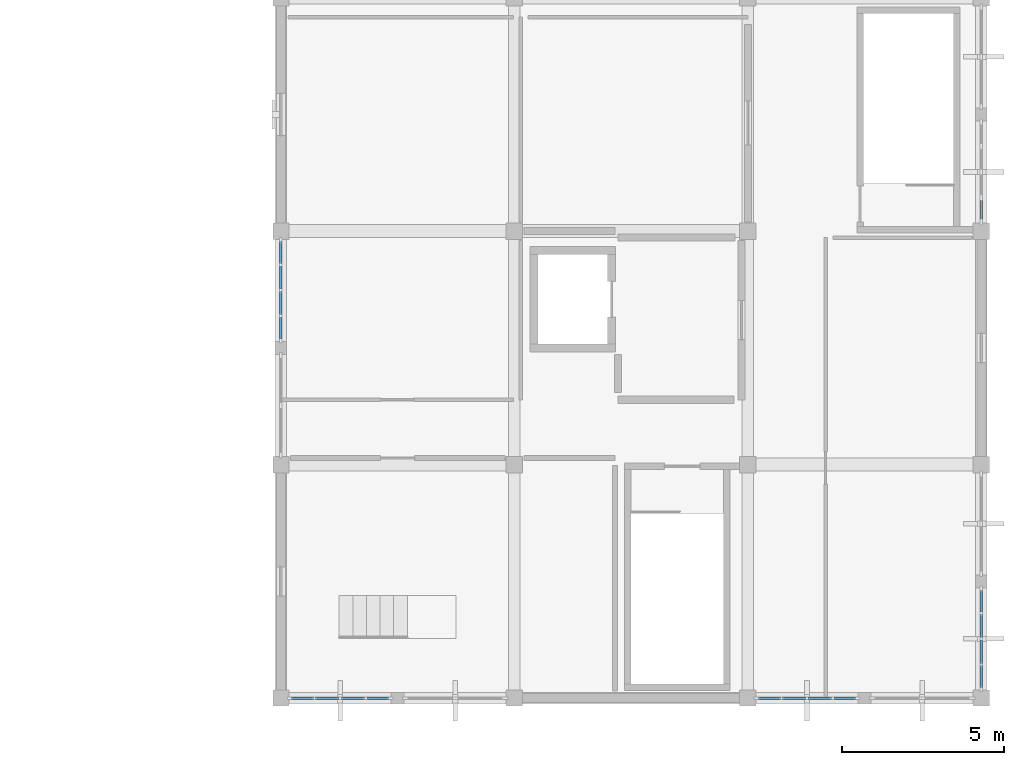
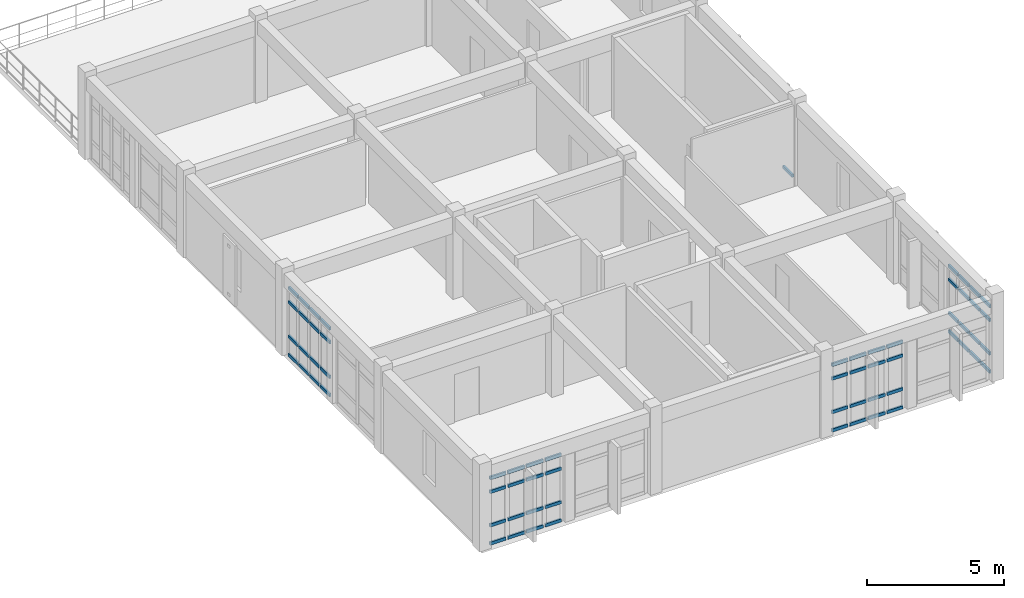
# One storey, part 6 of 14: 65 members, 5 elements without a shape of their own.
"""IFC4 building model written with IfcOpenShell, lengths in metres."""

from ifc_helpers import new_model, si_unit, direction, frame, origin, origin_2d, place, context, subcontext, project, spatial, rectangle, extrude, material, layer, layer_set, material_profile, profile_set, type_object, element, aggregate, save


model = new_model("IFC4")

# Units and contexts
model_context = context("Model", 3, precision=1e-05, world=origin(), true_north=direction((0.0, 1.0)))
body_context = subcontext(model_context, "Body", "Model", "MODEL_VIEW")
ifc_project = project(units=[si_unit("LENGTHUNIT", "METRE"), si_unit("AREAUNIT", "SQUARE_METRE"), si_unit("VOLUMEUNIT", "CUBIC_METRE"), si_unit("PLANEANGLEUNIT", "RADIAN"), si_unit("MASSUNIT", "GRAM", prefix="KILO")], contexts=[model_context])

# Site, building, storey
site_placement = place(None, origin())
site = spatial("IfcSite", under=ifc_project, at=site_placement, CompositionType="ELEMENT")
building_placement = place(site_placement, origin())
building = spatial("IfcBuilding", under=site, at=building_placement, Name="Koriwan Promenade Central Fire Station", CompositionType="ELEMENT")
storey_placement = place(building_placement, frame((0.0, 0.0, 21.300048828125)))
storey = spatial("IfcBuildingStorey", under=building, at=storey_placement, Name="L05", CompositionType="ELEMENT", Elevation=21.300048828125)

# Curtain wall, members
ifc_material_1 = material(Name="Aluminium EN AW-6063-T6 and low-E glazing", Category="aluminium")
ifc_layer_1 = layer(ifc_material_1, 0.159912109375, Name="Aluminium EN AW-6063-T6 and low-E glazing")
ifc_layer_set_1 = layer_set([ifc_layer_1], Name="Aluminium EN AW-6063-T6 and low-E glazing")
curtain_wall_type_1 = type_object("IfcCurtainWallType", Name="CurtainWall_90_315x299", PredefinedType="USERDEFINED", material=ifc_layer_set_1)
curtain_wall_1_placement = place(storey_placement, origin())
curtain_wall_1 = element("IfcCurtainWall", 1, at=curtain_wall_1_placement, inside=storey, type_object=curtain_wall_type_1, Name="V5 L05 unitised curtain wall 277", ObjectType="UNITISED CURTAIN WALL", PredefinedType="USERDEFINED")
ifc_material_2 = material(Name="Aluminium EN AW-6063-T6", Category="aluminium")
ifc_material_profile = material_profile(ifc_material_2, rectangle(XDim=0.074951171875, YDim=0.139892578125, at=origin_2d()), Name="ALU-TRN-75x140")
ifc_profile_set = profile_set([ifc_material_profile], Name="Aluminium EN AW-6063-T6")
member_type = type_object("IfcMemberType", Name="CWTransom_ALU-TRN-75x140", PredefinedType="USERDEFINED", material=ifc_profile_set)
member_1_placement = place(storey_placement, frame((172.800048828125, 0.324951171875, 0.037353515625), z_axis=(0.0, 1.0, 0.0), x_axis=(-1.0, 0.0, 0.0)))
member_1 = element("IfcMember", 2, at=member_1_placement, type_object=member_type, Name="CW-90 transom 1.1", ObjectType="TRANSOM", PredefinedType="USERDEFINED", context=body_context, shape_type="SweptSolid", body=[
    extrude(rectangle(XDim=0.074951171875, YDim=0.139892578125, at=origin_2d()), origin(), (0.0, 0.0, 1.0), 0.675048828125),
])
member_2_placement = place(storey_placement, frame((172.800048828125, 0.324951171875, 0.849853515625), z_axis=(0.0, 1.0, 0.0), x_axis=(-1.0, 0.0, 0.0)))
member_2 = element("IfcMember", 3, at=member_2_placement, type_object=member_type, Name="CW-90 transom 1.2", ObjectType="TRANSOM", PredefinedType="USERDEFINED", context=body_context, shape_type="SweptSolid", body=[
    extrude(rectangle(XDim=0.074951171875, YDim=0.139892578125, at=origin_2d()), origin(), (0.0, 0.0, 1.0), 0.675048828125),
])
member_3_placement = place(storey_placement, frame((172.800048828125, 0.324951171875, 2.33984375), z_axis=(0.0, 1.0, 0.0), x_axis=(-1.0, 0.0, 0.0)))
member_3 = element("IfcMember", 4, at=member_3_placement, type_object=member_type, Name="CW-90 transom 1.3", ObjectType="TRANSOM", PredefinedType="USERDEFINED", context=body_context, shape_type="SweptSolid", body=[
    extrude(rectangle(XDim=0.074951171875, YDim=0.139892578125, at=origin_2d()), origin(), (0.0, 0.0, 1.0), 0.675048828125),
])
member_4_placement = place(storey_placement, frame((172.800048828125, 0.324951171875, 2.952392578125), z_axis=(0.0, 1.0, 0.0), x_axis=(-1.0, 0.0, 0.0)))
member_4 = element("IfcMember", 5, at=member_4_placement, type_object=member_type, Name="CW-90 transom 1.4", ObjectType="TRANSOM", PredefinedType="USERDEFINED", context=body_context, shape_type="SweptSolid", body=[
    extrude(rectangle(XDim=0.074951171875, YDim=0.139892578125, at=origin_2d()), origin(), (0.0, 0.0, 1.0), 0.675048828125),
])
member_5_placement = place(storey_placement, frame((172.800048828125, 1.074951171875, 0.037353515625), z_axis=(0.0, 1.0, 0.0), x_axis=(-1.0, 0.0, 0.0)))
member_5 = element("IfcMember", 6, at=member_5_placement, type_object=member_type, Name="CW-90 transom 2.1", ObjectType="TRANSOM", PredefinedType="USERDEFINED", context=body_context, shape_type="SweptSolid", body=[
    extrude(rectangle(XDim=0.074951171875, YDim=0.139892578125, at=origin_2d()), origin(), (0.0, 0.0, 1.0), 0.712646484375),
])
member_6_placement = place(storey_placement, frame((172.800048828125, 1.074951171875, 0.849853515625), z_axis=(0.0, 1.0, 0.0), x_axis=(-1.0, 0.0, 0.0)))
member_6 = element("IfcMember", 7, at=member_6_placement, type_object=member_type, Name="CW-90 transom 2.2", ObjectType="TRANSOM", PredefinedType="USERDEFINED", context=body_context, shape_type="SweptSolid", body=[
    extrude(rectangle(XDim=0.074951171875, YDim=0.139892578125, at=origin_2d()), origin(), (0.0, 0.0, 1.0), 0.712646484375),
])
member_7_placement = place(storey_placement, frame((172.800048828125, 1.074951171875, 2.33984375), z_axis=(0.0, 1.0, 0.0), x_axis=(-1.0, 0.0, 0.0)))
member_7 = element("IfcMember", 8, at=member_7_placement, type_object=member_type, Name="CW-90 transom 2.3", ObjectType="TRANSOM", PredefinedType="USERDEFINED", context=body_context, shape_type="SweptSolid", body=[
    extrude(rectangle(XDim=0.074951171875, YDim=0.139892578125, at=origin_2d()), origin(), (0.0, 0.0, 1.0), 0.712646484375),
])
member_8_placement = place(storey_placement, frame((172.800048828125, 1.074951171875, 2.952392578125), z_axis=(0.0, 1.0, 0.0), x_axis=(-1.0, 0.0, 0.0)))
member_8 = element("IfcMember", 9, at=member_8_placement, type_object=member_type, Name="CW-90 transom 2.4", ObjectType="TRANSOM", PredefinedType="USERDEFINED", context=body_context, shape_type="SweptSolid", body=[
    extrude(rectangle(XDim=0.074951171875, YDim=0.139892578125, at=origin_2d()), origin(), (0.0, 0.0, 1.0), 0.712646484375),
])
member_9_placement = place(storey_placement, frame((172.800048828125, 1.862548828125, 0.037353515625), z_axis=(0.0, 1.0, 0.0), x_axis=(-1.0, 0.0, 0.0)))
member_9 = element("IfcMember", 10, at=member_9_placement, type_object=member_type, Name="CW-90 transom 3.1", ObjectType="TRANSOM", PredefinedType="USERDEFINED", context=body_context, shape_type="SweptSolid", body=[
    extrude(rectangle(XDim=0.074951171875, YDim=0.139892578125, at=origin_2d()), origin(), (0.0, 0.0, 1.0), 0.71240234375),
])
member_10_placement = place(storey_placement, frame((172.800048828125, 1.862548828125, 0.849853515625), z_axis=(0.0, 1.0, 0.0), x_axis=(-1.0, 0.0, 0.0)))
member_10 = element("IfcMember", 11, at=member_10_placement, type_object=member_type, Name="CW-90 transom 3.2", ObjectType="TRANSOM", PredefinedType="USERDEFINED", context=body_context, shape_type="SweptSolid", body=[
    extrude(rectangle(XDim=0.074951171875, YDim=0.139892578125, at=origin_2d()), origin(), (0.0, 0.0, 1.0), 0.71240234375),
])
member_11_placement = place(storey_placement, frame((172.800048828125, 1.862548828125, 2.33984375), z_axis=(0.0, 1.0, 0.0), x_axis=(-1.0, 0.0, 0.0)))
member_11 = element("IfcMember", 12, at=member_11_placement, type_object=member_type, Name="CW-90 transom 3.3", ObjectType="TRANSOM", PredefinedType="USERDEFINED", context=body_context, shape_type="SweptSolid", body=[
    extrude(rectangle(XDim=0.074951171875, YDim=0.139892578125, at=origin_2d()), origin(), (0.0, 0.0, 1.0), 0.71240234375),
])
member_12_placement = place(storey_placement, frame((172.800048828125, 1.862548828125, 2.952392578125), z_axis=(0.0, 1.0, 0.0), x_axis=(-1.0, 0.0, 0.0)))
member_12 = element("IfcMember", 13, at=member_12_placement, type_object=member_type, Name="CW-90 transom 3.4", ObjectType="TRANSOM", PredefinedType="USERDEFINED", context=body_context, shape_type="SweptSolid", body=[
    extrude(rectangle(XDim=0.074951171875, YDim=0.139892578125, at=origin_2d()), origin(), (0.0, 0.0, 1.0), 0.71240234375),
])
member_13_placement = place(storey_placement, frame((172.800048828125, 2.64990234375, 0.037353515625), z_axis=(0.0, 1.0, 0.0), x_axis=(-1.0, 0.0, 0.0)))
member_13 = element("IfcMember", 14, at=member_13_placement, type_object=member_type, Name="CW-90 transom 4.1", ObjectType="TRANSOM", PredefinedType="USERDEFINED", context=body_context, shape_type="SweptSolid", body=[
    extrude(rectangle(XDim=0.074951171875, YDim=0.139892578125, at=origin_2d()), origin(), (0.0, 0.0, 1.0), 0.675048828125),
])
member_14_placement = place(storey_placement, frame((172.800048828125, 2.64990234375, 0.849853515625), z_axis=(0.0, 1.0, 0.0), x_axis=(-1.0, 0.0, 0.0)))
member_14 = element("IfcMember", 15, at=member_14_placement, type_object=member_type, Name="CW-90 transom 4.2", ObjectType="TRANSOM", PredefinedType="USERDEFINED", context=body_context, shape_type="SweptSolid", body=[
    extrude(rectangle(XDim=0.074951171875, YDim=0.139892578125, at=origin_2d()), origin(), (0.0, 0.0, 1.0), 0.675048828125),
])
member_15_placement = place(storey_placement, frame((172.800048828125, 2.64990234375, 2.33984375), z_axis=(0.0, 1.0, 0.0), x_axis=(-1.0, 0.0, 0.0)))
member_15 = element("IfcMember", 16, at=member_15_placement, type_object=member_type, Name="CW-90 transom 4.3", ObjectType="TRANSOM", PredefinedType="USERDEFINED", context=body_context, shape_type="SweptSolid", body=[
    extrude(rectangle(XDim=0.074951171875, YDim=0.139892578125, at=origin_2d()), origin(), (0.0, 0.0, 1.0), 0.675048828125),
])
member_16_placement = place(storey_placement, frame((172.800048828125, 2.64990234375, 2.952392578125), z_axis=(0.0, 1.0, 0.0), x_axis=(-1.0, 0.0, 0.0)))
member_16 = element("IfcMember", 17, at=member_16_placement, type_object=member_type, Name="CW-90 transom 4.4", ObjectType="TRANSOM", PredefinedType="USERDEFINED", context=body_context, shape_type="SweptSolid", body=[
    extrude(rectangle(XDim=0.074951171875, YDim=0.139892578125, at=origin_2d()), origin(), (0.0, 0.0, 1.0), 0.675048828125),
])
aggregate(curtain_wall_1, [member_1, member_2, member_3, member_4, member_5, member_6, member_7, member_8, member_9, member_10, member_11, member_12, member_13, member_14, member_15, member_16])

# Curtain wall, member
curtain_wall_2_placement = place(storey_placement, origin())
curtain_wall_2 = element("IfcCurtainWall", 18, at=curtain_wall_2_placement, inside=storey, type_object=curtain_wall_type_1, Name="V5 L05 unitised curtain wall 279", ObjectType="UNITISED CURTAIN WALL", PredefinedType="USERDEFINED")
member_17_placement = place(storey_placement, frame((172.800048828125, 14.72509765625, 0.037353515625), z_axis=(0.0, 1.0, 0.0), x_axis=(-1.0, 0.0, 0.0)))
member_17 = element("IfcMember", 19, at=member_17_placement, type_object=member_type, Name="CW-90 transom 1.1", ObjectType="TRANSOM", PredefinedType="USERDEFINED", context=body_context, shape_type="SweptSolid", body=[
    extrude(rectangle(XDim=0.074951171875, YDim=0.139892578125, at=origin_2d()), origin(), (0.0, 0.0, 1.0), 0.6748046875),
])
aggregate(curtain_wall_2, [member_17])

# Curtain wall, members
ifc_layer_2 = layer(ifc_material_1, 0.159912109375, Name="Aluminium EN AW-6063-T6 and low-E glazing")
ifc_layer_set_2 = layer_set([ifc_layer_2], Name="Aluminium EN AW-6063-T6 and low-E glazing")
curtain_wall_type_2 = type_object("IfcCurtainWallType", Name="CurtainWall_91_315x304", PredefinedType="USERDEFINED", material=ifc_layer_set_2)
curtain_wall_3_placement = place(storey_placement, origin())
curtain_wall_3 = element("IfcCurtainWall", 20, at=curtain_wall_3_placement, inside=storey, type_object=curtain_wall_type_2, Name="V5 L05 unitised curtain wall 283", ObjectType="UNITISED CURTAIN WALL", PredefinedType="USERDEFINED")
member_18_placement = place(storey_placement, frame((151.199951171875, 14.074951171875, 0.037353515625), z_axis=(0.0, -1.0, 0.0), x_axis=(1.0, 0.0, 0.0)))
member_18 = element("IfcMember", 21, at=member_18_placement, type_object=member_type, Name="CW-91 transom 1.1", ObjectType="TRANSOM", PredefinedType="USERDEFINED", context=body_context, shape_type="SweptSolid", body=[
    extrude(rectangle(XDim=0.074951171875, YDim=0.139892578125, at=origin_2d()), origin(), (0.0, 0.0, 1.0), 0.675048828125),
])
member_19_placement = place(storey_placement, frame((151.199951171875, 14.074951171875, 0.849853515625), z_axis=(0.0, -1.0, 0.0), x_axis=(1.0, 0.0, 0.0)))
member_19 = element("IfcMember", 22, at=member_19_placement, type_object=member_type, Name="CW-91 transom 1.2", ObjectType="TRANSOM", PredefinedType="USERDEFINED", context=body_context, shape_type="SweptSolid", body=[
    extrude(rectangle(XDim=0.074951171875, YDim=0.139892578125, at=origin_2d()), origin(), (0.0, 0.0, 1.0), 0.675048828125),
])
member_20_placement = place(storey_placement, frame((151.199951171875, 14.074951171875, 2.389892578125), z_axis=(0.0, -1.0, 0.0), x_axis=(1.0, 0.0, 0.0)))
member_20 = element("IfcMember", 23, at=member_20_placement, type_object=member_type, Name="CW-91 transom 1.3", ObjectType="TRANSOM", PredefinedType="USERDEFINED", context=body_context, shape_type="SweptSolid", body=[
    extrude(rectangle(XDim=0.074951171875, YDim=0.139892578125, at=origin_2d()), origin(), (0.0, 0.0, 1.0), 0.675048828125),
])
member_21_placement = place(storey_placement, frame((151.199951171875, 14.074951171875, 3.00244140625), z_axis=(0.0, -1.0, 0.0), x_axis=(1.0, 0.0, 0.0)))
member_21 = element("IfcMember", 24, at=member_21_placement, type_object=member_type, Name="CW-91 transom 1.4", ObjectType="TRANSOM", PredefinedType="USERDEFINED", context=body_context, shape_type="SweptSolid", body=[
    extrude(rectangle(XDim=0.074951171875, YDim=0.139892578125, at=origin_2d()), origin(), (0.0, 0.0, 1.0), 0.675048828125),
])
member_22_placement = place(storey_placement, frame((151.199951171875, 13.324951171875, 0.037353515625), z_axis=(0.0, -1.0, 0.0), x_axis=(1.0, 0.0, 0.0)))
member_22 = element("IfcMember", 25, at=member_22_placement, type_object=member_type, Name="CW-91 transom 2.1", ObjectType="TRANSOM", PredefinedType="USERDEFINED", context=body_context, shape_type="SweptSolid", body=[
    extrude(rectangle(XDim=0.074951171875, YDim=0.139892578125, at=origin_2d()), origin(), (0.0, 0.0, 1.0), 0.71240234375),
])
member_23_placement = place(storey_placement, frame((151.199951171875, 13.324951171875, 0.849853515625), z_axis=(0.0, -1.0, 0.0), x_axis=(1.0, 0.0, 0.0)))
member_23 = element("IfcMember", 26, at=member_23_placement, type_object=member_type, Name="CW-91 transom 2.2", ObjectType="TRANSOM", PredefinedType="USERDEFINED", context=body_context, shape_type="SweptSolid", body=[
    extrude(rectangle(XDim=0.074951171875, YDim=0.139892578125, at=origin_2d()), origin(), (0.0, 0.0, 1.0), 0.71240234375),
])
member_24_placement = place(storey_placement, frame((151.199951171875, 13.324951171875, 2.389892578125), z_axis=(0.0, -1.0, 0.0), x_axis=(1.0, 0.0, 0.0)))
member_24 = element("IfcMember", 27, at=member_24_placement, type_object=member_type, Name="CW-91 transom 2.3", ObjectType="TRANSOM", PredefinedType="USERDEFINED", context=body_context, shape_type="SweptSolid", body=[
    extrude(rectangle(XDim=0.074951171875, YDim=0.139892578125, at=origin_2d()), origin(), (0.0, 0.0, 1.0), 0.71240234375),
])
member_25_placement = place(storey_placement, frame((151.199951171875, 13.324951171875, 3.00244140625), z_axis=(0.0, -1.0, 0.0), x_axis=(1.0, 0.0, 0.0)))
member_25 = element("IfcMember", 28, at=member_25_placement, type_object=member_type, Name="CW-91 transom 2.4", ObjectType="TRANSOM", PredefinedType="USERDEFINED", context=body_context, shape_type="SweptSolid", body=[
    extrude(rectangle(XDim=0.074951171875, YDim=0.139892578125, at=origin_2d()), origin(), (0.0, 0.0, 1.0), 0.71240234375),
])
member_26_placement = place(storey_placement, frame((151.199951171875, 12.53759765625, 0.037353515625), z_axis=(0.0, -1.0, 0.0), x_axis=(1.0, 0.0, 0.0)))
member_26 = element("IfcMember", 29, at=member_26_placement, type_object=member_type, Name="CW-91 transom 3.1", ObjectType="TRANSOM", PredefinedType="USERDEFINED", context=body_context, shape_type="SweptSolid", body=[
    extrude(rectangle(XDim=0.074951171875, YDim=0.139892578125, at=origin_2d()), origin(), (0.0, 0.0, 1.0), 0.712646484375),
])
member_27_placement = place(storey_placement, frame((151.199951171875, 12.53759765625, 0.849853515625), z_axis=(0.0, -1.0, 0.0), x_axis=(1.0, 0.0, 0.0)))
member_27 = element("IfcMember", 30, at=member_27_placement, type_object=member_type, Name="CW-91 transom 3.2", ObjectType="TRANSOM", PredefinedType="USERDEFINED", context=body_context, shape_type="SweptSolid", body=[
    extrude(rectangle(XDim=0.074951171875, YDim=0.139892578125, at=origin_2d()), origin(), (0.0, 0.0, 1.0), 0.712646484375),
])
member_28_placement = place(storey_placement, frame((151.199951171875, 12.53759765625, 2.389892578125), z_axis=(0.0, -1.0, 0.0), x_axis=(1.0, 0.0, 0.0)))
member_28 = element("IfcMember", 31, at=member_28_placement, type_object=member_type, Name="CW-91 transom 3.3", ObjectType="TRANSOM", PredefinedType="USERDEFINED", context=body_context, shape_type="SweptSolid", body=[
    extrude(rectangle(XDim=0.074951171875, YDim=0.139892578125, at=origin_2d()), origin(), (0.0, 0.0, 1.0), 0.712646484375),
])
member_29_placement = place(storey_placement, frame((151.199951171875, 12.53759765625, 3.00244140625), z_axis=(0.0, -1.0, 0.0), x_axis=(1.0, 0.0, 0.0)))
member_29 = element("IfcMember", 32, at=member_29_placement, type_object=member_type, Name="CW-91 transom 3.4", ObjectType="TRANSOM", PredefinedType="USERDEFINED", context=body_context, shape_type="SweptSolid", body=[
    extrude(rectangle(XDim=0.074951171875, YDim=0.139892578125, at=origin_2d()), origin(), (0.0, 0.0, 1.0), 0.712646484375),
])
member_30_placement = place(storey_placement, frame((151.199951171875, 11.75, 0.037353515625), z_axis=(0.0, -1.0, 0.0), x_axis=(1.0, 0.0, 0.0)))
member_30 = element("IfcMember", 33, at=member_30_placement, type_object=member_type, Name="CW-91 transom 4.1", ObjectType="TRANSOM", PredefinedType="USERDEFINED", context=body_context, shape_type="SweptSolid", body=[
    extrude(rectangle(XDim=0.074951171875, YDim=0.139892578125, at=origin_2d()), origin(), (0.0, 0.0, 1.0), 0.675048828125),
])
member_31_placement = place(storey_placement, frame((151.199951171875, 11.75, 0.849853515625), z_axis=(0.0, -1.0, 0.0), x_axis=(1.0, 0.0, 0.0)))
member_31 = element("IfcMember", 34, at=member_31_placement, type_object=member_type, Name="CW-91 transom 4.2", ObjectType="TRANSOM", PredefinedType="USERDEFINED", context=body_context, shape_type="SweptSolid", body=[
    extrude(rectangle(XDim=0.074951171875, YDim=0.139892578125, at=origin_2d()), origin(), (0.0, 0.0, 1.0), 0.675048828125),
])
member_32_placement = place(storey_placement, frame((151.199951171875, 11.75, 2.389892578125), z_axis=(0.0, -1.0, 0.0), x_axis=(1.0, 0.0, 0.0)))
member_32 = element("IfcMember", 35, at=member_32_placement, type_object=member_type, Name="CW-91 transom 4.3", ObjectType="TRANSOM", PredefinedType="USERDEFINED", context=body_context, shape_type="SweptSolid", body=[
    extrude(rectangle(XDim=0.074951171875, YDim=0.139892578125, at=origin_2d()), origin(), (0.0, 0.0, 1.0), 0.675048828125),
])
member_33_placement = place(storey_placement, frame((151.199951171875, 11.75, 3.00244140625), z_axis=(0.0, -1.0, 0.0), x_axis=(1.0, 0.0, 0.0)))
member_33 = element("IfcMember", 36, at=member_33_placement, type_object=member_type, Name="CW-91 transom 4.4", ObjectType="TRANSOM", PredefinedType="USERDEFINED", context=body_context, shape_type="SweptSolid", body=[
    extrude(rectangle(XDim=0.074951171875, YDim=0.139892578125, at=origin_2d()), origin(), (0.0, 0.0, 1.0), 0.675048828125),
])
aggregate(curtain_wall_3, [member_18, member_19, member_20, member_21, member_22, member_23, member_24, member_25, member_26, member_27, member_28, member_29, member_30, member_31, member_32, member_33])

curtain_wall_4_placement = place(storey_placement, origin())
curtain_wall_4 = element("IfcCurtainWall", 37, at=curtain_wall_4_placement, inside=storey, type_object=curtain_wall_type_1, Name="V5 L05 unitised curtain wall 285", ObjectType="UNITISED CURTAIN WALL", PredefinedType="USERDEFINED")
member_34_placement = place(storey_placement, frame((151.52490234375, 0.0, 0.037353515625), z_axis=(1.0, 0.0, 0.0), x_axis=(0.0, 1.0, 0.0)))
member_34 = element("IfcMember", 38, at=member_34_placement, type_object=member_type, Name="CW-90 transom 1.1", ObjectType="TRANSOM", PredefinedType="USERDEFINED", context=body_context, shape_type="SweptSolid", body=[
    extrude(rectangle(XDim=0.074951171875, YDim=0.139892578125, at=origin_2d()), origin(), (0.0, 0.0, 1.0), 0.675048828125),
])
member_35_placement = place(storey_placement, frame((151.52490234375, 0.0, 0.849853515625), z_axis=(1.0, 0.0, 0.0), x_axis=(0.0, 1.0, 0.0)))
member_35 = element("IfcMember", 39, at=member_35_placement, type_object=member_type, Name="CW-90 transom 1.2", ObjectType="TRANSOM", PredefinedType="USERDEFINED", context=body_context, shape_type="SweptSolid", body=[
    extrude(rectangle(XDim=0.074951171875, YDim=0.139892578125, at=origin_2d()), origin(), (0.0, 0.0, 1.0), 0.675048828125),
])
member_36_placement = place(storey_placement, frame((151.52490234375, 0.0, 2.33984375), z_axis=(1.0, 0.0, 0.0), x_axis=(0.0, 1.0, 0.0)))
member_36 = element("IfcMember", 40, at=member_36_placement, type_object=member_type, Name="CW-90 transom 1.3", ObjectType="TRANSOM", PredefinedType="USERDEFINED", context=body_context, shape_type="SweptSolid", body=[
    extrude(rectangle(XDim=0.074951171875, YDim=0.139892578125, at=origin_2d()), origin(), (0.0, 0.0, 1.0), 0.675048828125),
])
member_37_placement = place(storey_placement, frame((151.52490234375, 0.0, 2.952392578125), z_axis=(1.0, 0.0, 0.0), x_axis=(0.0, 1.0, 0.0)))
member_37 = element("IfcMember", 41, at=member_37_placement, type_object=member_type, Name="CW-90 transom 1.4", ObjectType="TRANSOM", PredefinedType="USERDEFINED", context=body_context, shape_type="SweptSolid", body=[
    extrude(rectangle(XDim=0.074951171875, YDim=0.139892578125, at=origin_2d()), origin(), (0.0, 0.0, 1.0), 0.675048828125),
])
member_38_placement = place(storey_placement, frame((152.27490234375, 0.0, 0.037353515625), z_axis=(1.0, 0.0, 0.0), x_axis=(0.0, 1.0, 0.0)))
member_38 = element("IfcMember", 42, at=member_38_placement, type_object=member_type, Name="CW-90 transom 2.1", ObjectType="TRANSOM", PredefinedType="USERDEFINED", context=body_context, shape_type="SweptSolid", body=[
    extrude(rectangle(XDim=0.074951171875, YDim=0.139892578125, at=origin_2d()), origin(), (0.0, 0.0, 1.0), 0.712646484375),
])
member_39_placement = place(storey_placement, frame((152.27490234375, 0.0, 0.849853515625), z_axis=(1.0, 0.0, 0.0), x_axis=(0.0, 1.0, 0.0)))
member_39 = element("IfcMember", 43, at=member_39_placement, type_object=member_type, Name="CW-90 transom 2.2", ObjectType="TRANSOM", PredefinedType="USERDEFINED", context=body_context, shape_type="SweptSolid", body=[
    extrude(rectangle(XDim=0.074951171875, YDim=0.139892578125, at=origin_2d()), origin(), (0.0, 0.0, 1.0), 0.712646484375),
])
member_40_placement = place(storey_placement, frame((152.27490234375, 0.0, 2.33984375), z_axis=(1.0, 0.0, 0.0), x_axis=(0.0, 1.0, 0.0)))
member_40 = element("IfcMember", 44, at=member_40_placement, type_object=member_type, Name="CW-90 transom 2.3", ObjectType="TRANSOM", PredefinedType="USERDEFINED", context=body_context, shape_type="SweptSolid", body=[
    extrude(rectangle(XDim=0.074951171875, YDim=0.139892578125, at=origin_2d()), origin(), (0.0, 0.0, 1.0), 0.712646484375),
])
member_41_placement = place(storey_placement, frame((152.27490234375, 0.0, 2.952392578125), z_axis=(1.0, 0.0, 0.0), x_axis=(0.0, 1.0, 0.0)))
member_41 = element("IfcMember", 45, at=member_41_placement, type_object=member_type, Name="CW-90 transom 2.4", ObjectType="TRANSOM", PredefinedType="USERDEFINED", context=body_context, shape_type="SweptSolid", body=[
    extrude(rectangle(XDim=0.074951171875, YDim=0.139892578125, at=origin_2d()), origin(), (0.0, 0.0, 1.0), 0.712646484375),
])
member_42_placement = place(storey_placement, frame((153.0625, 0.0, 0.037353515625), z_axis=(1.0, 0.0, 0.0), x_axis=(0.0, 1.0, 0.0)))
member_42 = element("IfcMember", 46, at=member_42_placement, type_object=member_type, Name="CW-90 transom 3.1", ObjectType="TRANSOM", PredefinedType="USERDEFINED", context=body_context, shape_type="SweptSolid", body=[
    extrude(rectangle(XDim=0.074951171875, YDim=0.139892578125, at=origin_2d()), origin(), (0.0, 0.0, 1.0), 0.71240234375),
])
member_43_placement = place(storey_placement, frame((153.0625, 0.0, 0.849853515625), z_axis=(1.0, 0.0, 0.0), x_axis=(0.0, 1.0, 0.0)))
member_43 = element("IfcMember", 47, at=member_43_placement, type_object=member_type, Name="CW-90 transom 3.2", ObjectType="TRANSOM", PredefinedType="USERDEFINED", context=body_context, shape_type="SweptSolid", body=[
    extrude(rectangle(XDim=0.074951171875, YDim=0.139892578125, at=origin_2d()), origin(), (0.0, 0.0, 1.0), 0.71240234375),
])
member_44_placement = place(storey_placement, frame((153.0625, 0.0, 2.33984375), z_axis=(1.0, 0.0, 0.0), x_axis=(0.0, 1.0, 0.0)))
member_44 = element("IfcMember", 48, at=member_44_placement, type_object=member_type, Name="CW-90 transom 3.3", ObjectType="TRANSOM", PredefinedType="USERDEFINED", context=body_context, shape_type="SweptSolid", body=[
    extrude(rectangle(XDim=0.074951171875, YDim=0.139892578125, at=origin_2d()), origin(), (0.0, 0.0, 1.0), 0.71240234375),
])
member_45_placement = place(storey_placement, frame((153.0625, 0.0, 2.952392578125), z_axis=(1.0, 0.0, 0.0), x_axis=(0.0, 1.0, 0.0)))
member_45 = element("IfcMember", 49, at=member_45_placement, type_object=member_type, Name="CW-90 transom 3.4", ObjectType="TRANSOM", PredefinedType="USERDEFINED", context=body_context, shape_type="SweptSolid", body=[
    extrude(rectangle(XDim=0.074951171875, YDim=0.139892578125, at=origin_2d()), origin(), (0.0, 0.0, 1.0), 0.71240234375),
])
member_46_placement = place(storey_placement, frame((153.85009765625, 0.0, 0.037353515625), z_axis=(1.0, 0.0, 0.0), x_axis=(0.0, 1.0, 0.0)))
member_46 = element("IfcMember", 50, at=member_46_placement, type_object=member_type, Name="CW-90 transom 4.1", ObjectType="TRANSOM", PredefinedType="USERDEFINED", context=body_context, shape_type="SweptSolid", body=[
    extrude(rectangle(XDim=0.074951171875, YDim=0.139892578125, at=origin_2d()), origin(), (0.0, 0.0, 1.0), 0.6748046875),
])
member_47_placement = place(storey_placement, frame((153.85009765625, 0.0, 0.849853515625), z_axis=(1.0, 0.0, 0.0), x_axis=(0.0, 1.0, 0.0)))
member_47 = element("IfcMember", 51, at=member_47_placement, type_object=member_type, Name="CW-90 transom 4.2", ObjectType="TRANSOM", PredefinedType="USERDEFINED", context=body_context, shape_type="SweptSolid", body=[
    extrude(rectangle(XDim=0.074951171875, YDim=0.139892578125, at=origin_2d()), origin(), (0.0, 0.0, 1.0), 0.6748046875),
])
member_48_placement = place(storey_placement, frame((153.85009765625, 0.0, 2.33984375), z_axis=(1.0, 0.0, 0.0), x_axis=(0.0, 1.0, 0.0)))
member_48 = element("IfcMember", 52, at=member_48_placement, type_object=member_type, Name="CW-90 transom 4.3", ObjectType="TRANSOM", PredefinedType="USERDEFINED", context=body_context, shape_type="SweptSolid", body=[
    extrude(rectangle(XDim=0.074951171875, YDim=0.139892578125, at=origin_2d()), origin(), (0.0, 0.0, 1.0), 0.6748046875),
])
member_49_placement = place(storey_placement, frame((153.85009765625, 0.0, 2.952392578125), z_axis=(1.0, 0.0, 0.0), x_axis=(0.0, 1.0, 0.0)))
member_49 = element("IfcMember", 53, at=member_49_placement, type_object=member_type, Name="CW-90 transom 4.4", ObjectType="TRANSOM", PredefinedType="USERDEFINED", context=body_context, shape_type="SweptSolid", body=[
    extrude(rectangle(XDim=0.074951171875, YDim=0.139892578125, at=origin_2d()), origin(), (0.0, 0.0, 1.0), 0.6748046875),
])
aggregate(curtain_wall_4, [member_34, member_35, member_36, member_37, member_38, member_39, member_40, member_41, member_42, member_43, member_44, member_45, member_46, member_47, member_48, member_49])

curtain_wall_5_placement = place(storey_placement, origin())
curtain_wall_5 = element("IfcCurtainWall", 54, at=curtain_wall_5_placement, inside=storey, type_object=curtain_wall_type_1, Name="V5 L05 unitised curtain wall 287", ObjectType="UNITISED CURTAIN WALL", PredefinedType="USERDEFINED")
member_50_placement = place(storey_placement, frame((165.925048828125, 0.0, 0.037353515625), z_axis=(1.0, 0.0, 0.0), x_axis=(0.0, 1.0, 0.0)))
member_50 = element("IfcMember", 55, at=member_50_placement, type_object=member_type, Name="CW-90 transom 1.1", ObjectType="TRANSOM", PredefinedType="USERDEFINED", context=body_context, shape_type="SweptSolid", body=[
    extrude(rectangle(XDim=0.074951171875, YDim=0.139892578125, at=origin_2d()), origin(), (0.0, 0.0, 1.0), 0.675048828125),
])
member_51_placement = place(storey_placement, frame((165.925048828125, 0.0, 0.849853515625), z_axis=(1.0, 0.0, 0.0), x_axis=(0.0, 1.0, 0.0)))
member_51 = element("IfcMember", 56, at=member_51_placement, type_object=member_type, Name="CW-90 transom 1.2", ObjectType="TRANSOM", PredefinedType="USERDEFINED", context=body_context, shape_type="SweptSolid", body=[
    extrude(rectangle(XDim=0.074951171875, YDim=0.139892578125, at=origin_2d()), origin(), (0.0, 0.0, 1.0), 0.675048828125),
])
member_52_placement = place(storey_placement, frame((165.925048828125, 0.0, 2.33984375), z_axis=(1.0, 0.0, 0.0), x_axis=(0.0, 1.0, 0.0)))
member_52 = element("IfcMember", 57, at=member_52_placement, type_object=member_type, Name="CW-90 transom 1.3", ObjectType="TRANSOM", PredefinedType="USERDEFINED", context=body_context, shape_type="SweptSolid", body=[
    extrude(rectangle(XDim=0.074951171875, YDim=0.139892578125, at=origin_2d()), origin(), (0.0, 0.0, 1.0), 0.675048828125),
])
member_53_placement = place(storey_placement, frame((165.925048828125, 0.0, 2.952392578125), z_axis=(1.0, 0.0, 0.0), x_axis=(0.0, 1.0, 0.0)))
member_53 = element("IfcMember", 58, at=member_53_placement, type_object=member_type, Name="CW-90 transom 1.4", ObjectType="TRANSOM", PredefinedType="USERDEFINED", context=body_context, shape_type="SweptSolid", body=[
    extrude(rectangle(XDim=0.074951171875, YDim=0.139892578125, at=origin_2d()), origin(), (0.0, 0.0, 1.0), 0.675048828125),
])
member_54_placement = place(storey_placement, frame((166.675048828125, 0.0, 0.037353515625), z_axis=(1.0, 0.0, 0.0), x_axis=(0.0, 1.0, 0.0)))
member_54 = element("IfcMember", 59, at=member_54_placement, type_object=member_type, Name="CW-90 transom 2.1", ObjectType="TRANSOM", PredefinedType="USERDEFINED", context=body_context, shape_type="SweptSolid", body=[
    extrude(rectangle(XDim=0.074951171875, YDim=0.139892578125, at=origin_2d()), origin(), (0.0, 0.0, 1.0), 0.71240234375),
])
member_55_placement = place(storey_placement, frame((166.675048828125, 0.0, 0.849853515625), z_axis=(1.0, 0.0, 0.0), x_axis=(0.0, 1.0, 0.0)))
member_55 = element("IfcMember", 60, at=member_55_placement, type_object=member_type, Name="CW-90 transom 2.2", ObjectType="TRANSOM", PredefinedType="USERDEFINED", context=body_context, shape_type="SweptSolid", body=[
    extrude(rectangle(XDim=0.074951171875, YDim=0.139892578125, at=origin_2d()), origin(), (0.0, 0.0, 1.0), 0.71240234375),
])
member_56_placement = place(storey_placement, frame((166.675048828125, 0.0, 2.33984375), z_axis=(1.0, 0.0, 0.0), x_axis=(0.0, 1.0, 0.0)))
member_56 = element("IfcMember", 61, at=member_56_placement, type_object=member_type, Name="CW-90 transom 2.3", ObjectType="TRANSOM", PredefinedType="USERDEFINED", context=body_context, shape_type="SweptSolid", body=[
    extrude(rectangle(XDim=0.074951171875, YDim=0.139892578125, at=origin_2d()), origin(), (0.0, 0.0, 1.0), 0.71240234375),
])
member_57_placement = place(storey_placement, frame((166.675048828125, 0.0, 2.952392578125), z_axis=(1.0, 0.0, 0.0), x_axis=(0.0, 1.0, 0.0)))
member_57 = element("IfcMember", 62, at=member_57_placement, type_object=member_type, Name="CW-90 transom 2.4", ObjectType="TRANSOM", PredefinedType="USERDEFINED", context=body_context, shape_type="SweptSolid", body=[
    extrude(rectangle(XDim=0.074951171875, YDim=0.139892578125, at=origin_2d()), origin(), (0.0, 0.0, 1.0), 0.71240234375),
])
member_58_placement = place(storey_placement, frame((167.46240234375, 0.0, 0.037353515625), z_axis=(1.0, 0.0, 0.0), x_axis=(0.0, 1.0, 0.0)))
member_58 = element("IfcMember", 63, at=member_58_placement, type_object=member_type, Name="CW-90 transom 3.1", ObjectType="TRANSOM", PredefinedType="USERDEFINED", context=body_context, shape_type="SweptSolid", body=[
    extrude(rectangle(XDim=0.074951171875, YDim=0.139892578125, at=origin_2d()), origin(), (0.0, 0.0, 1.0), 0.712646484375),
])
member_59_placement = place(storey_placement, frame((167.46240234375, 0.0, 0.849853515625), z_axis=(1.0, 0.0, 0.0), x_axis=(0.0, 1.0, 0.0)))
member_59 = element("IfcMember", 64, at=member_59_placement, type_object=member_type, Name="CW-90 transom 3.2", ObjectType="TRANSOM", PredefinedType="USERDEFINED", context=body_context, shape_type="SweptSolid", body=[
    extrude(rectangle(XDim=0.074951171875, YDim=0.139892578125, at=origin_2d()), origin(), (0.0, 0.0, 1.0), 0.712646484375),
])
member_60_placement = place(storey_placement, frame((167.46240234375, 0.0, 2.33984375), z_axis=(1.0, 0.0, 0.0), x_axis=(0.0, 1.0, 0.0)))
member_60 = element("IfcMember", 65, at=member_60_placement, type_object=member_type, Name="CW-90 transom 3.3", ObjectType="TRANSOM", PredefinedType="USERDEFINED", context=body_context, shape_type="SweptSolid", body=[
    extrude(rectangle(XDim=0.074951171875, YDim=0.139892578125, at=origin_2d()), origin(), (0.0, 0.0, 1.0), 0.712646484375),
])
member_61_placement = place(storey_placement, frame((167.46240234375, 0.0, 2.952392578125), z_axis=(1.0, 0.0, 0.0), x_axis=(0.0, 1.0, 0.0)))
member_61 = element("IfcMember", 66, at=member_61_placement, type_object=member_type, Name="CW-90 transom 3.4", ObjectType="TRANSOM", PredefinedType="USERDEFINED", context=body_context, shape_type="SweptSolid", body=[
    extrude(rectangle(XDim=0.074951171875, YDim=0.139892578125, at=origin_2d()), origin(), (0.0, 0.0, 1.0), 0.712646484375),
])
member_62_placement = place(storey_placement, frame((168.25, 0.0, 0.037353515625), z_axis=(1.0, 0.0, 0.0), x_axis=(0.0, 1.0, 0.0)))
member_62 = element("IfcMember", 67, at=member_62_placement, type_object=member_type, Name="CW-90 transom 4.1", ObjectType="TRANSOM", PredefinedType="USERDEFINED", context=body_context, shape_type="SweptSolid", body=[
    extrude(rectangle(XDim=0.074951171875, YDim=0.139892578125, at=origin_2d()), origin(), (0.0, 0.0, 1.0), 0.675048828125),
])
member_63_placement = place(storey_placement, frame((168.25, 0.0, 0.849853515625), z_axis=(1.0, 0.0, 0.0), x_axis=(0.0, 1.0, 0.0)))
member_63 = element("IfcMember", 68, at=member_63_placement, type_object=member_type, Name="CW-90 transom 4.2", ObjectType="TRANSOM", PredefinedType="USERDEFINED", context=body_context, shape_type="SweptSolid", body=[
    extrude(rectangle(XDim=0.074951171875, YDim=0.139892578125, at=origin_2d()), origin(), (0.0, 0.0, 1.0), 0.675048828125),
])
member_64_placement = place(storey_placement, frame((168.25, 0.0, 2.33984375), z_axis=(1.0, 0.0, 0.0), x_axis=(0.0, 1.0, 0.0)))
member_64 = element("IfcMember", 69, at=member_64_placement, type_object=member_type, Name="CW-90 transom 4.3", ObjectType="TRANSOM", PredefinedType="USERDEFINED", context=body_context, shape_type="SweptSolid", body=[
    extrude(rectangle(XDim=0.074951171875, YDim=0.139892578125, at=origin_2d()), origin(), (0.0, 0.0, 1.0), 0.675048828125),
])
member_65_placement = place(storey_placement, frame((168.25, 0.0, 2.952392578125), z_axis=(1.0, 0.0, 0.0), x_axis=(0.0, 1.0, 0.0)))
member_65 = element("IfcMember", 70, at=member_65_placement, type_object=member_type, Name="CW-90 transom 4.4", ObjectType="TRANSOM", PredefinedType="USERDEFINED", context=body_context, shape_type="SweptSolid", body=[
    extrude(rectangle(XDim=0.074951171875, YDim=0.139892578125, at=origin_2d()), origin(), (0.0, 0.0, 1.0), 0.675048828125),
])
aggregate(curtain_wall_5, [member_50, member_51, member_52, member_53, member_54, member_55, member_56, member_57, member_58, member_59, member_60, member_61, member_62, member_63, member_64, member_65])

save(model, "model.ifc")
